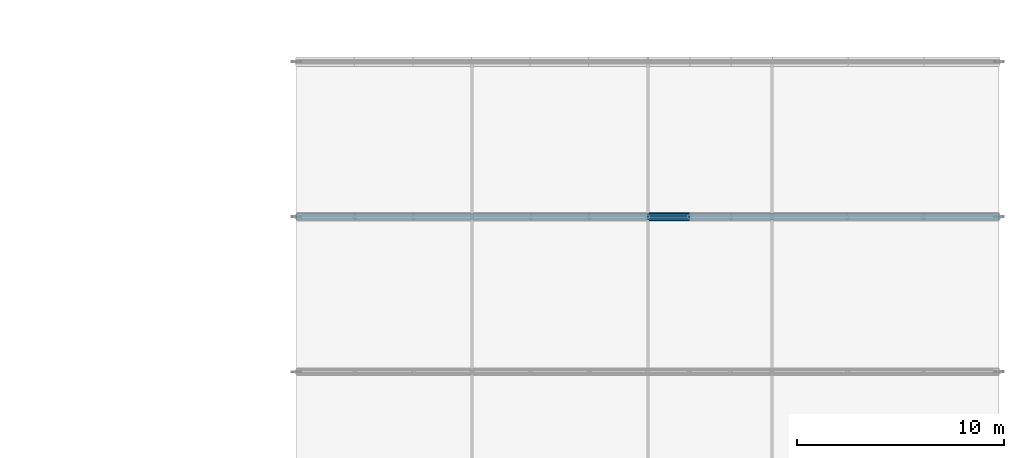
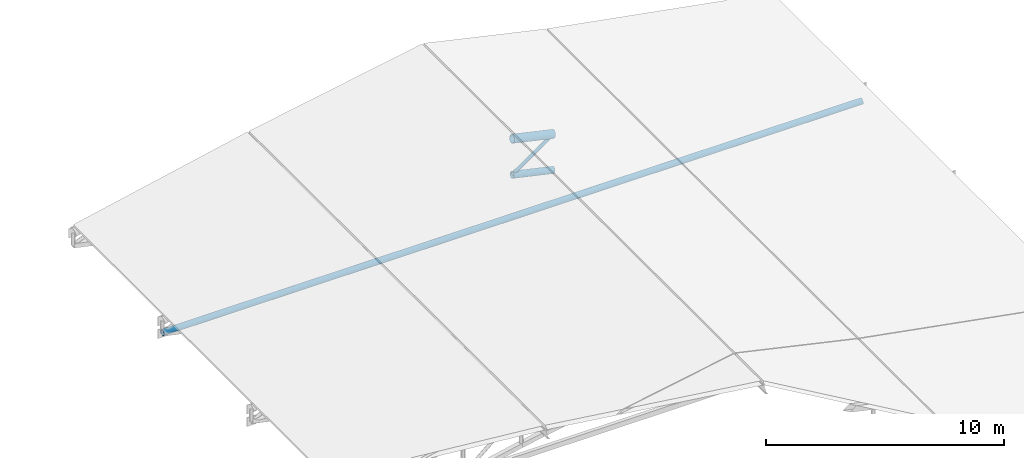
# One storey, part 17 of 28: 3 members, 1 beam.
"""IFC4 building model written with IfcOpenShell, lengths in metres."""

from ifc_helpers import new_model, si_unit, direction, frame, origin, origin_2d, place, context, subcontext, project, spatial, hollow_circle, extrude, material, material_profile, profile_set, type_object, element, save


model = new_model("IFC4")

# Units and contexts
model_context = context("Model", 3, precision=1e-05, world=origin(), true_north=direction((0.0, 1.0)))
body_context = subcontext(model_context, "Body", "Model", "MODEL_VIEW")
ifc_project = project(units=[si_unit("LENGTHUNIT", "METRE"), si_unit("AREAUNIT", "SQUARE_METRE"), si_unit("VOLUMEUNIT", "CUBIC_METRE"), si_unit("PLANEANGLEUNIT", "RADIAN"), si_unit("MASSUNIT", "GRAM", prefix="KILO"), si_unit("THERMODYNAMICTEMPERATUREUNIT", "KELVIN"), si_unit("POWERUNIT", "WATT")], contexts=[model_context])

# Site, building, storey
site_placement = place(None, origin())
site = spatial("IfcSite", under=ifc_project, at=site_placement, CompositionType="ELEMENT")
building_placement = place(site_placement, origin())
building = spatial("IfcBuilding", under=site, at=building_placement, Name="Tepalcoro Natatorium and Aquatics Centre", CompositionType="ELEMENT")
storey_placement = place(building_placement, frame((0.0, 0.0, 23.199951171875)))
storey = spatial("IfcBuildingStorey", under=building, at=storey_placement, Name="RF", CompositionType="ELEMENT", Elevation=23.199951171875)

# Beam
ifc_material = material(Name="Terracotta Painted Hollow Steel ASTM A500 Grade C (Fy 345 MPa)", Category="masonry")
ifc_material_profile_1 = material_profile(ifc_material, hollow_circle(Radius=0.202880859375, WallThickness=0.01611328125, at=origin_2d()), Name="CHS406X16")
ifc_profile_set_1 = profile_set([ifc_material_profile_1], Name="Terracotta Painted Hollow Steel ASTM A500 Grade C (Fy 345 MPa)")
beam_type = type_object("IfcBeamType", Name="AC_CHS406x16", PredefinedType="USERDEFINED", material=ifc_profile_set_1)
beam_placement = place(storey_placement, frame((159.0, 51.5, -0.305908203125), z_axis=(0.97561485681, 0.0, -0.21948952406), x_axis=(0.0, 1.0, 0.0)))
element("IfcBeam", 1, at=beam_placement, inside=storey, type_object=beam_type, Name="V2 Barrel-Arch Top Chord 7", ObjectType="ARCH CHORD", PredefinedType="USERDEFINED", context=body_context, shape_type="SweptSolid", body=[
    extrude(hollow_circle(Radius=0.202880859375, WallThickness=0.01611328125, at=origin_2d()), origin(), (0.0, 0.0, 1.0), 2.050048828125),
])

# Members
ifc_material_profile_2 = material_profile(ifc_material, hollow_circle(Radius=0.14892578125, WallThickness=0.01611328125, at=origin_2d()), Name="CHS298X16")
ifc_profile_set_2 = profile_set([ifc_material_profile_2], Name="Terracotta Painted Hollow Steel ASTM A500 Grade C (Fy 345 MPa)")
member_type_1 = type_object("IfcMemberType", Name="MB_AT_CHS298x16", PredefinedType="USERDEFINED", material=ifc_profile_set_2)
member_1_placement = place(storey_placement, frame((142.0, 51.5, -4.31591796875), z_axis=(1.0, 0.0, 0.0), x_axis=(0.0, 1.0, 0.0)))
element("IfcMember", 2, at=member_1_placement, inside=storey, type_object=member_type_1, Name="V2 Barrel-Arch Tie 7", ObjectType="ARCH TIE", PredefinedType="USERDEFINED", context=body_context, shape_type="SweptSolid", body=[
    extrude(hollow_circle(Radius=0.14892578125, WallThickness=0.01611328125, at=origin_2d()), origin(), (0.0, 0.0, 1.0), 34.0),
])
ifc_material_profile_3 = material_profile(ifc_material, hollow_circle(Radius=0.162109375, WallThickness=0.013916015625, at=origin_2d()), Name="CHS324X14")
ifc_profile_set_3 = profile_set([ifc_material_profile_3], Name="Terracotta Painted Hollow Steel ASTM A500 Grade C (Fy 345 MPa)")
member_type_2 = type_object("IfcMemberType", Name="MB_CH_CHS324x14", PredefinedType="CHORD", material=ifc_profile_set_3)
member_2_placement = place(storey_placement, frame((159.0, 51.5, -2.156005859375), z_axis=(0.97561485681, 0.0, -0.21948952406), x_axis=(0.0, 1.0, 0.0)))
element("IfcMember", 3, at=member_2_placement, inside=storey, type_object=member_type_2, Name="V2 Barrel-Arch Bottom Chord 7", PredefinedType="CHORD", context=body_context, shape_type="SweptSolid", body=[
    extrude(hollow_circle(Radius=0.162109375, WallThickness=0.013916015625, at=origin_2d()), origin(), (0.0, 0.0, 1.0), 2.050048828125),
])
ifc_material_profile_4 = material_profile(ifc_material, hollow_circle(Radius=0.083984375, WallThickness=0.011962890625, at=origin_2d()), Name="CHS168X12")
ifc_profile_set_4 = profile_set([ifc_material_profile_4], Name="Terracotta Painted Hollow Steel ASTM A500 Grade C (Fy 345 MPa)")
member_type_3 = type_object("IfcMemberType", Name="MB_ST_CHS168x12", PredefinedType="STRUT", material=ifc_profile_set_4)
member_3_placement = place(storey_placement, frame((159.0, 51.5, -2.156005859375), z_axis=(0.819203731481, 0.0, 0.57350261231), x_axis=(0.0, 1.0, 0.0)))
element("IfcMember", 4, at=member_3_placement, inside=storey, type_object=member_type_3, Name="V2 Barrel-Arch Web Diagonal 7", PredefinedType="STRUT", context=body_context, shape_type="SweptSolid", body=[
    extrude(hollow_circle(Radius=0.083984375, WallThickness=0.011962890625, at=origin_2d()), origin(), (0.0, 0.0, 1.0), 2.44140625),
])

save(model, "model.ifc")
